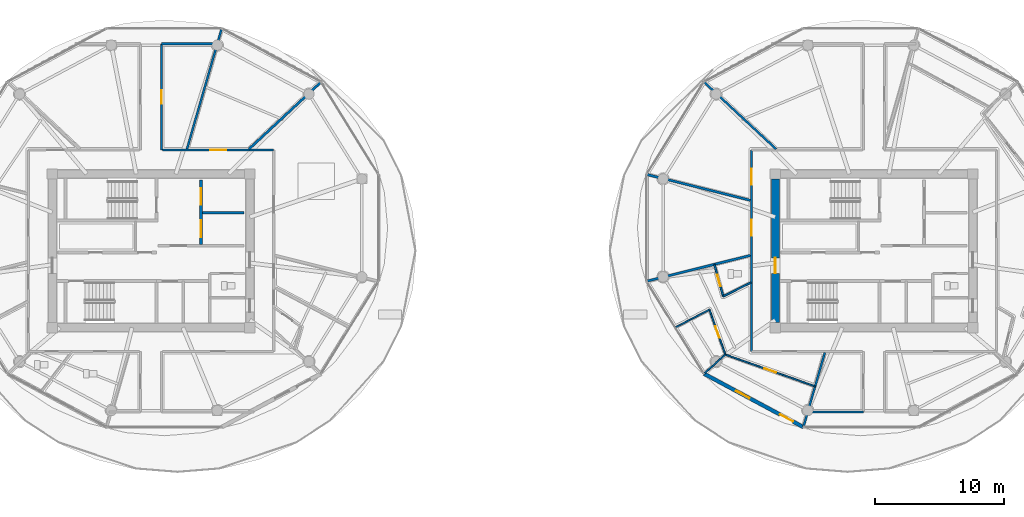
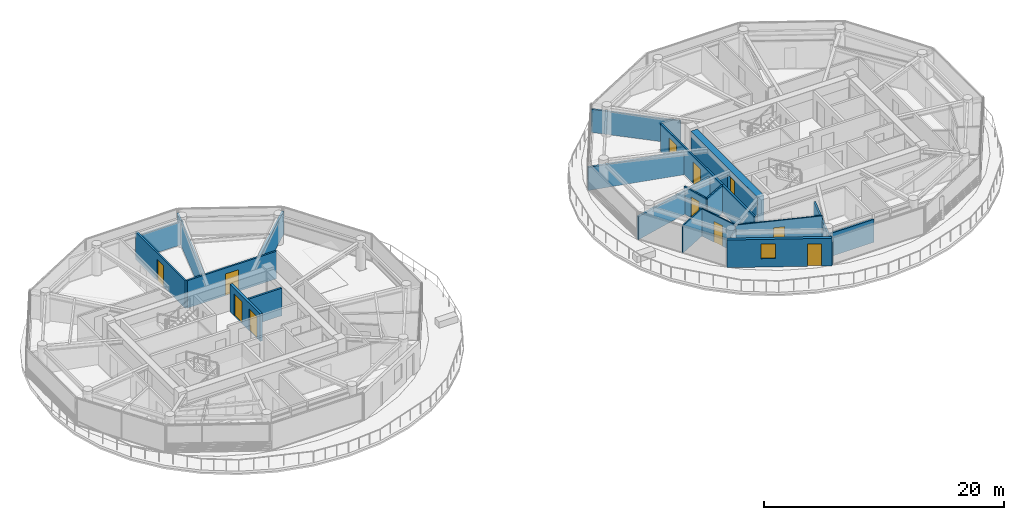
# One storey, part 15 of 28: 21 walls, 11 doors, 1 window, 12 openings.
"""IFC4 building model written with IfcOpenShell, lengths in metres."""

import ifcopenshell
import ifcopenshell.guid

model = None  # the IFC model being written
_history = None  # IfcOwnerHistory: only IFC2X3 demands one
_inside = {}  # id of a spatial element -> (the spatial element, [elements in it])
_under = {}  # id of a project, library or spatial element -> (it, [spatial elements below it])
_declared = {}  # id of a project -> (the project, [libraries it declares])
_typed = {}  # id of a type object -> (the type object, [elements of that type])
_made_of = {}  # id of a material, layer set ... -> (it, [elements and type objects made of it])


def new_model(schema):
    """Start an empty IFC model of exactly this schema.

    Asked for "IFC4X3", IfcOpenShell would pick the latest addendum, in which some entities
    have other attributes; the version numbers below select the first issue.
    IFC2X3 requires an IfcOwnerHistory on every rooted entity: one is made here for all.
    """
    global model, _history
    if schema == "IFC4X3":
        model = ifcopenshell.file(schema_version=(4, 3, 0, 0))
    else:
        model = ifcopenshell.file(schema=schema)
    _inside.clear()
    _under.clear()
    _declared.clear()
    _typed.clear()
    _made_of.clear()
    _history = None
    if model.schema == "IFC2X3":
        org = make("IfcOrganization", Name="unknown")
        user = make(
            "IfcPersonAndOrganization",
            ThePerson=make("IfcPerson", FamilyName="unknown"),
            TheOrganization=org,
        )
        app = make(
            "IfcApplication",
            ApplicationDeveloper=org,
            Version="unknown",
            ApplicationFullName="unknown",
            ApplicationIdentifier="unknown",
        )
        _history = make(
            "IfcOwnerHistory",
            OwningUser=user,
            OwningApplication=app,
            ChangeAction="ADDED",
            CreationDate=0,
        )
    return model


def make(cls, **values):
    """One entity of the class cls with the attributes given. An attribute that is None is left unset."""
    return model.create_entity(
        cls, **{name: value for name, value in values.items() if value is not None}
    )


def rooted(cls, **values):
    """An entity with a GlobalId (a new one), such as an element, a storey or a relation."""
    return make(cls, GlobalId=ifcopenshell.guid.new(), OwnerHistory=_history, **values)


def si_unit(unit_type, name, prefix=None):
    """IfcSIUnit, for example si_unit("LENGTHUNIT", "METRE", prefix="MILLI")."""
    return make("IfcSIUnit", UnitType=unit_type, Prefix=prefix, Name=name)


def assignment(units):
    """IfcUnitAssignment: the units of a project."""
    return None if units is None else make("IfcUnitAssignment", Units=units)


def point(xyz):
    """IfcCartesianPoint."""
    return None if xyz is None else make("IfcCartesianPoint", Coordinates=xyz)


def direction(xyz):
    """IfcDirection."""
    return None if xyz is None else make("IfcDirection", DirectionRatios=xyz)


def frame(location, z_axis=None, x_axis=None):
    """IfcAxis2Placement3D, a coordinate frame: its origin and axes. An axis left out is left unset."""
    return make(
        "IfcAxis2Placement3D",
        Location=point(location),
        Axis=direction(z_axis),
        RefDirection=direction(x_axis),
    )


def frame_2d(location, x_axis=None):
    """IfcAxis2Placement2D, a coordinate frame in the plane: its origin and x axis."""
    return make(
        "IfcAxis2Placement2D", Location=point(location), RefDirection=direction(x_axis)
    )


def origin():
    """The frame at (0, 0, 0) with its axes left unset."""
    return frame((0.0, 0.0, 0.0))


def place(relative_to, where):
    """IfcLocalPlacement: puts the frame where relative to a parent placement (None: the world)."""
    return make(
        "IfcLocalPlacement", PlacementRelTo=relative_to, RelativePlacement=where
    )


def context(
    kind, dimensions, precision=None, world=None, true_north=None, identifier=None
):
    """IfcGeometricRepresentationContext, for example the 3D "Model" context."""
    return make(
        "IfcGeometricRepresentationContext",
        ContextIdentifier=identifier,
        ContextType=kind,
        CoordinateSpaceDimension=dimensions,
        Precision=precision,
        WorldCoordinateSystem=world,
        TrueNorth=true_north,
    )


def subcontext(parent, identifier, kind, view, scale=None):
    """IfcGeometricRepresentationSubContext, for example "Body" below "Model"."""
    return make(
        "IfcGeometricRepresentationSubContext",
        ContextIdentifier=identifier,
        ContextType=kind,
        ParentContext=parent,
        TargetScale=scale,
        TargetView=view,
    )


def project(units=None, contexts=None):
    """IfcProject with its units and contexts."""
    return rooted(
        "IfcProject",
        Name="project",
        RepresentationContexts=contexts,
        UnitsInContext=assignment(units),
    )


def spatial(cls, under=None, at=None, **own):
    """A site, building, storey or space (cls), placed at a placement, below another one or the project."""
    s = rooted(cls, ObjectPlacement=at, **own)
    if under is not None:
        _under.setdefault(under.id(), (under, []))[1].append(s)
    return s


def profile(cls, at=None, kind="AREA", **sizes):
    """A parametric profile (cls). Its sizes go by their IFC names, for example OverallWidth=200.0."""
    return make(cls, ProfileType=kind, Position=at, **sizes)


def rectangle(**sizes):
    """IfcRectangleProfileDef."""
    return profile("IfcRectangleProfileDef", **sizes)


def extrude(swept, where, along, depth):
    """IfcExtrudedAreaSolid: the profile swept, set in the frame where, extruded along a direction by depth."""
    return make(
        "IfcExtrudedAreaSolid",
        SweptArea=swept,
        Position=where,
        ExtrudedDirection=direction(along),
        Depth=depth,
    )


def shape(context_of_items, identifier, shape_type, items):
    """IfcShapeRepresentation: the items that make up one representation, for example the "Body"."""
    return make(
        "IfcShapeRepresentation",
        ContextOfItems=context_of_items,
        RepresentationIdentifier=identifier,
        RepresentationType=shape_type,
        Items=items,
    )


def source(mapping_origin, context_of_items, identifier, shape_type, items):
    """IfcRepresentationMap: a shape defined once, which mapped items show again and again."""
    return make(
        "IfcRepresentationMap",
        MappingOrigin=mapping_origin,
        MappedRepresentation=shape(context_of_items, identifier, shape_type, items),
    )


def transform(
    local_origin,
    x_axis=None,
    y_axis=None,
    z_axis=None,
    scale=None,
    scale2=None,
    scale3=None,
    uniform=True,
):
    """IfcCartesianTransformationOperator3D, or its non-uniform kind. x_axis, y_axis, z_axis: its Axis1, 2, 3."""
    if uniform:
        return make(
            "IfcCartesianTransformationOperator3D",
            Axis1=direction(x_axis),
            Axis2=direction(y_axis),
            LocalOrigin=point(local_origin),
            Scale=scale,
            Axis3=direction(z_axis),
        )
    return make(
        "IfcCartesianTransformationOperator3DnonUniform",
        Axis1=direction(x_axis),
        Axis2=direction(y_axis),
        LocalOrigin=point(local_origin),
        Scale=scale,
        Axis3=direction(z_axis),
        Scale2=scale2,
        Scale3=scale3,
    )


def mapped(mapping_source, mapping_target):
    """IfcMappedItem: shows the shape of a source again, moved by a transform."""
    return make(
        "IfcMappedItem", MappingSource=mapping_source, MappingTarget=mapping_target
    )


def material(Name=None, Category=None):
    """IfcMaterial."""
    return make("IfcMaterial", Name=Name, Category=Category)


def layer(
    of_material, thickness, ventilated=None, Name=None, Category=None, Priority=None
):
    """IfcMaterialLayer: one layer of a wall or slab, of a material (None: an air gap)."""
    return make(
        "IfcMaterialLayer",
        Material=of_material,
        LayerThickness=thickness,
        IsVentilated=ventilated,
        Name=Name,
        Category=Category,
        Priority=Priority,
    )


def layer_set(layers, Name=None):
    """IfcMaterialLayerSet."""
    return make("IfcMaterialLayerSet", MaterialLayers=layers, LayerSetName=Name)


def made_of(thing, what):
    """Note that an element or type object is made of a material, layer set ...; save() writes the relation."""
    if what is not None:
        _made_of.setdefault(what.id(), (what, []))[1].append(thing)
    return thing


def type_object(cls, material=None, **own):
    """A type object (cls), such as IfcWallType, which elements share."""
    return made_of(rooted(cls, **own), material)


def type_shapes(of_type, sources):
    """Give a type object the sources (RepresentationMaps) that its elements show as mapped items."""
    of_type.RepresentationMaps = sources


def element(
    cls,
    number,
    at=None,
    inside=None,
    cuts=None,
    type_object=None,
    material=None,
    context=None,
    identifier="Body",
    shape_type=None,
    held_by="IfcProductDefinitionShape",
    body=None,
    shapes=None,
    **own,
):
    """One element of the class cls, such as IfcWall. Its Tag is "e" and its number.

    at: its placement. inside: the storey or other place that contains it. cuts: it is an
    opening in that element (IfcRelVoidsElement). A single representation is given by context,
    identifier, shape_type and body (its items); several are given by shapes. held_by: the class
    of the entity that holds the representations. save() writes the other relations.
    """
    e = rooted(cls, Tag="e%d" % number, ObjectPlacement=at, **own)
    if body is not None:
        shapes = [shape(context, identifier, shape_type, body)]
    if shapes is not None:
        e.Representation = make(held_by, Representations=shapes)
    if inside is not None:
        _inside.setdefault(inside.id(), (inside, []))[1].append(e)
    if cuts is not None:
        rooted(
            "IfcRelVoidsElement", RelatingBuildingElement=cuts, RelatedOpeningElement=e
        )
    if type_object is not None:
        _typed.setdefault(type_object.id(), (type_object, []))[1].append(e)
    return made_of(e, material)


def fill(opening, filler):
    """IfcRelFillsElement: the door or window that sits in an opening."""
    return rooted(
        "IfcRelFillsElement",
        RelatingOpeningElement=opening,
        RelatedBuildingElement=filler,
    )


def aggregate(whole, parts):
    """IfcRelAggregates: a whole, such as a stair, and the parts it consists of."""
    return rooted("IfcRelAggregates", RelatingObject=whole, RelatedObjects=parts)


def save(model, path):
    """Write the relations noted so far, then the file.

    IfcRelAggregates (storeys below a building ...), IfcRelContainedInSpatialStructure (elements
    in a storey), IfcRelDefinesByType, IfcRelAssociatesMaterial and IfcRelDeclares: one each for
    every whole, place, type object, material and project.
    """
    for whole, parts in _under.values():
        aggregate(whole, parts)
    for where, things in _inside.values():
        rooted(
            "IfcRelContainedInSpatialStructure",
            RelatedElements=things,
            RelatingStructure=where,
        )
    for kind, things in _typed.values():
        rooted("IfcRelDefinesByType", RelatedObjects=things, RelatingType=kind)
    for what, things in _made_of.values():
        rooted("IfcRelAssociatesMaterial", RelatedObjects=things, RelatingMaterial=what)
    for by, libraries in _declared.values():
        rooted("IfcRelDeclares", RelatingContext=by, RelatedDefinitions=libraries)
    model.write(path)


model = new_model("IFC4")

# Units and contexts
model_context = context("Model", 3, precision=1e-05, world=origin(), true_north=direction((0.0, 1.0)))
body_context = subcontext(model_context, "Body", "Model", "MODEL_VIEW")
ifc_project = project(units=[si_unit("LENGTHUNIT", "METRE"), si_unit("AREAUNIT", "SQUARE_METRE"), si_unit("VOLUMEUNIT", "CUBIC_METRE"), si_unit("PLANEANGLEUNIT", "RADIAN"), si_unit("MASSUNIT", "GRAM", prefix="KILO")], contexts=[model_context])

# Site, building, storey
site_placement = place(None, origin())
site = spatial("IfcSite", under=ifc_project, at=site_placement, CompositionType="ELEMENT")
building_placement = place(site_placement, origin())
building = spatial("IfcBuilding", under=site, at=building_placement, Name="Norrkilde Senior Care Towers", CompositionType="ELEMENT")
storey_placement = place(building_placement, frame((0.0, 0.0, 134.300048828125)))
storey = spatial("IfcBuildingStorey", under=building, at=storey_placement, Name="L41", CompositionType="ELEMENT", Elevation=134.300048828125)

# Wall, opening, door
ifc_material_1 = material(Name="Concrete C50/60", Category="concrete")
ifc_layer_1 = layer(ifc_material_1, 0.6201171875)
ifc_layer_set_1 = layer_set([ifc_layer_1], Name="Concrete C50/60")
wall_type_1 = type_object("IfcWallType", Name="Core Shear Wall Z3 620", PredefinedType="SHEAR", material=ifc_layer_set_1)
shared_shape_1 = source(origin(), body_context, "Body", "SweptSolid", [
    extrude(rectangle(XDim=11.10009765625, YDim=0.6201171875, at=frame_2d((5.550048828125, 0.0))), origin(), (0.0, 0.0, 1.0), 2.81005859375),
])
type_shapes(wall_type_1, [shared_shape_1])
wall_1_placement = place(storey_placement, frame((20.35009765625, -5.550048828125, 0.0), z_axis=(0.0, 0.0, 1.0), x_axis=(0.0, 1.0, 0.0)))
wall_1 = element("IfcWall", 1, at=wall_1_placement, inside=storey, type_object=wall_type_1, Name="L41 Core E West Shear Wall", PredefinedType="SHEAR", context=body_context, shape_type="MappedRepresentation", body=[
    mapped(shared_shape_1, transform((0.0, 0.0, 0.0), x_axis=(1.0, 0.0, 0.0), y_axis=(0.0, 1.0, 0.0), z_axis=(0.0, 0.0, 1.0), scale=1.0)),
])
opening_1_placement = place(wall_1_placement, frame((3.800048828125, 0.0, 0.0)))
opening_1 = element("IfcOpeningElement", 2, at=opening_1_placement, cuts=wall_1, Name="Opening D-04", PredefinedType="OPENING", context=body_context, shape_type="SweptSolid", body=[
    extrude(rectangle(XDim=1.199951171875, YDim=2.14990234375, at=frame_2d((0.60009765625, 1.074951171875))), frame((0.0, 0.320068359375, 0.0), z_axis=(0.0, -1.0, 0.0), x_axis=(1.0, 0.0, 0.0)), (0.0, 0.0, 1.0), 0.64013671875),
])
ifc_material_2 = material(Name="Galvanised Painted Steel", Category="steel")
door_type_1 = type_object("IfcDoorType", Name="Firefighting Lobby Fire Door 1200x2150", OperationType="NOTDEFINED", PredefinedType="DOOR", material=ifc_material_2)
shared_shape_2 = source(origin(), body_context, "Body", "SweptSolid", [
    extrude(rectangle(XDim=1.199951171875, YDim=2.14990234375, at=frame_2d((0.60009765625, 1.074951171875))), frame((0.0, 0.02490234375, 0.0), z_axis=(0.0, -1.0, 0.0), x_axis=(1.0, 0.0, 0.0)), (0.0, 0.0, 1.0), 0.050048828125),
])
type_shapes(door_type_1, [shared_shape_2])
door_1_placement = place(opening_1_placement, frame((1.199951171875, 0.0, 0.0), z_axis=(0.0, 0.0, 1.0), x_axis=(-1.0, 0.0, 0.0)))
door_1 = element("IfcDoor", 3, at=door_1_placement, inside=storey, type_object=door_type_1, Name="L41 Core E West Portal Door", OperationType="SINGLE_SWING_LEFT", OverallHeight=2.14990234375, OverallWidth=1.199951171875, PredefinedType="DOOR", context=body_context, shape_type="MappedRepresentation", body=[
    mapped(shared_shape_2, transform((0.0, 0.0, 0.0), x_axis=(1.0, 0.0, 0.0), y_axis=(0.0, 1.0, 0.0), z_axis=(0.0, 0.0, 1.0), scale=1.0)),
])
fill(opening_1, door_1)

# Wall, openings, door, window
ifc_material_3 = material(Name="Precast concrete C45/55", Category="concrete")
ifc_layer_2 = layer(ifc_material_3, 0.2900390625)
ifc_layer_set_2 = layer_set([ifc_layer_2], Name="Precast concrete C45/55")
wall_type_2 = type_object("IfcWallType", Name="Winter Garden Facade Wall 290", PredefinedType="SOLIDWALL", material=ifc_layer_set_2)
shared_shape_3 = source(origin(), body_context, "Body", "SweptSolid", [
    extrude(rectangle(XDim=8.741943359375, YDim=0.2900390625, at=frame_2d((4.37109375, 0.0))), origin(), (0.0, 0.0, 1.0), 2.81005859375),
])
type_shapes(wall_type_2, [shared_shape_3])
wall_2_placement = place(storey_placement, frame((22.528564453125, -13.66015625, 0.0), z_axis=(0.0, 0.0, 1.0), x_axis=(-0.880998740657, 0.473118609823, 0.0)))
wall_2 = element("IfcWall", 4, at=wall_2_placement, inside=storey, type_object=wall_type_2, Name="L41 Drum E Balcony Access Wall 07", PredefinedType="SOLIDWALL", context=body_context, shape_type="MappedRepresentation", body=[
    mapped(shared_shape_3, transform((0.0, 0.0, 0.0), x_axis=(1.0, 0.0, 0.0), y_axis=(0.0, 1.0, 0.0), z_axis=(0.0, 0.0, 1.0), scale=1.0)),
])
opening_2_placement = place(wall_2_placement, frame((0.89990234375, 0.0, 0.0)))
opening_2 = element("IfcOpeningElement", 5, at=opening_2_placement, cuts=wall_2, Name="Opening D-09", PredefinedType="OPENING", context=body_context, shape_type="SweptSolid", body=[
    extrude(rectangle(XDim=1.14990234375, YDim=2.25, at=frame_2d((0.574951171875, 1.125))), frame((0.0, 0.155029296875, 0.0), z_axis=(0.0, -1.0, 0.0), x_axis=(1.0, 0.0, 0.0)), (0.0, 0.0, 1.0), 0.31005859375),
])
opening_3_placement = place(wall_2_placement, frame((4.720947265625, 0.0, 0.85009765625)))
opening_3 = element("IfcOpeningElement", 6, at=opening_3_placement, cuts=wall_2, Name="Opening WN-07", PredefinedType="OPENING", context=body_context, shape_type="SweptSolid", body=[
    extrude(rectangle(XDim=1.199951171875, YDim=1.5, at=frame_2d((0.60009765625, 0.75))), frame((0.0, 0.155029296875, 0.0), z_axis=(0.0, -1.0, 0.0), x_axis=(1.0, 0.0, 0.0)), (0.0, 0.0, 1.0), 0.31005859375),
])
ifc_material_4 = material(Name="Anodised Aluminium", Category="aluminium")
door_type_2 = type_object("IfcDoorType", Name="Terrace and Balcony Glazed Door 1150x2250", OperationType="NOTDEFINED", PredefinedType="DOOR", material=ifc_material_4)
shared_shape_4 = source(origin(), body_context, "Body", "SweptSolid", [
    extrude(rectangle(XDim=1.14990234375, YDim=2.25, at=frame_2d((0.574951171875, 1.125))), frame((0.0, 0.02490234375, 0.0), z_axis=(0.0, -1.0, 0.0), x_axis=(1.0, 0.0, 0.0)), (0.0, 0.0, 1.0), 0.050048828125),
])
type_shapes(door_type_2, [shared_shape_4])
door_2_placement = place(opening_2_placement, origin())
door_2 = element("IfcDoor", 7, at=door_2_placement, inside=storey, type_object=door_type_2, Name="L41 Drum E Outdoor Terrace Door 07", OperationType="SINGLE_SWING_RIGHT", OverallHeight=2.25, OverallWidth=1.14990234375, PredefinedType="DOOR", context=body_context, shape_type="MappedRepresentation", body=[
    mapped(shared_shape_4, transform((0.0, 0.0, 0.0), x_axis=(1.0, 0.0, 0.0), y_axis=(0.0, 1.0, 0.0), z_axis=(0.0, 0.0, 1.0), scale=1.0)),
])
fill(opening_2, door_2)
ifc_material_5 = material(Name="Triple Low-E Insulated Glazing", Category="glass")
window_type = type_object("IfcWindowType", Name="Stairwell Smoke Vent Window 1200x1500", PartitioningType="SINGLE_PANEL", PredefinedType="WINDOW", material=ifc_material_5)
shared_shape_5 = source(origin(), body_context, "Body", "SweptSolid", [
    extrude(rectangle(XDim=1.199951171875, YDim=1.5, at=frame_2d((0.60009765625, 0.75))), frame((0.0, 0.030029296875, 0.0), z_axis=(0.0, -1.0, 0.0), x_axis=(1.0, 0.0, 0.0)), (0.0, 0.0, 1.0), 0.06005859375),
])
type_shapes(window_type, [shared_shape_5])
window_placement = place(opening_3_placement, origin())
window = element("IfcWindow", 8, at=window_placement, inside=storey, type_object=window_type, Name="L41 Drum E Winter Garden Window 07", OverallHeight=1.5, OverallWidth=1.199951171875, PartitioningType="SINGLE_PANEL", PredefinedType="WINDOW", context=body_context, shape_type="MappedRepresentation", body=[
    mapped(shared_shape_5, transform((0.0, 0.0, 0.0), x_axis=(1.0, 0.0, 0.0), y_axis=(0.0, 1.0, 0.0), z_axis=(0.0, 0.0, 1.0), scale=1.0)),
])
fill(opening_3, window)

# Wall, openings, doors
ifc_material_6 = material(Name="Concrete C45/55", Category="concrete")
ifc_layer_3 = layer(ifc_material_6, 0.239990234375)
ifc_layer_set_3 = layer_set([ifc_layer_3], Name="Concrete C45/55")
wall_type_3 = type_object("IfcWallType", Name="Lift and Plant Rated Enclosure Partition 240", PredefinedType="PARTITIONING", material=ifc_layer_set_3)
shared_shape_6 = source(origin(), body_context, "Body", "SweptSolid", [
    extrude(rectangle(XDim=5.0, YDim=0.239990234375, at=frame_2d((2.5, 0.0))), origin(), (0.0, 0.0, 1.0), 2.794921875),
])
type_shapes(wall_type_3, [shared_shape_6])
wall_3_placement = place(storey_placement, frame((-24.139892578125, 0.5, 0.0), z_axis=(0.0, 0.0, 1.0), x_axis=(0.0, 1.0, 0.0)))
wall_3 = element("IfcWall", 9, at=wall_3_placement, inside=storey, type_object=wall_type_3, Name="WL-INT-L41-W-FFLE", PredefinedType="PARTITIONING", context=body_context, shape_type="MappedRepresentation", body=[
    mapped(shared_shape_6, transform((0.0, 0.0, 0.0), x_axis=(1.0, 0.0, 0.0), y_axis=(0.0, 1.0, 0.0), z_axis=(0.0, 0.0, 1.0), scale=1.0)),
])
opening_4_placement = place(wall_3_placement, frame((3.050048828125, 0.0, 0.0)))
opening_4 = element("IfcOpeningElement", 10, at=opening_4_placement, cuts=wall_3, Name="Opening LD-02", PredefinedType="OPENING", context=body_context, shape_type="SweptSolid", body=[
    extrude(rectangle(XDim=1.300048828125, YDim=2.199951171875, at=frame_2d((0.64990234375, 1.10009765625))), frame((0.0, 0.1298828125, 0.0), z_axis=(0.0, -1.0, 0.0), x_axis=(1.0, 0.0, 0.0)), (0.0, 0.0, 1.0), 0.260009765625),
])
opening_5_placement = place(wall_3_placement, frame((0.550048828125, 0.0, 0.0)))
opening_5 = element("IfcOpeningElement", 11, at=opening_5_placement, cuts=wall_3, Name="Opening LD-02", PredefinedType="OPENING", context=body_context, shape_type="SweptSolid", body=[
    extrude(rectangle(XDim=1.300048828125, YDim=2.199951171875, at=frame_2d((0.64990234375, 1.10009765625))), frame((0.0, 0.1298828125, 0.0), z_axis=(0.0, -1.0, 0.0), x_axis=(1.0, 0.0, 0.0)), (0.0, 0.0, 1.0), 0.260009765625),
])
ifc_material_7 = material(Name="Stainless Steel", Category="steel")
door_type_3 = type_object("IfcDoorType", Name="Stretcher and FFL Landing Sliding Door 1300x2200", OperationType="NOTDEFINED", PredefinedType="DOOR", material=ifc_material_7)
shared_shape_7 = source(origin(), body_context, "Body", "SweptSolid", [
    extrude(rectangle(XDim=1.300048828125, YDim=2.199951171875, at=frame_2d((0.64990234375, 1.10009765625))), frame((0.0, 0.02490234375, 0.0), z_axis=(0.0, -1.0, 0.0), x_axis=(1.0, 0.0, 0.0)), (0.0, 0.0, 1.0), 0.050048828125),
])
type_shapes(door_type_3, [shared_shape_7])
door_3_placement = place(opening_4_placement, origin())
door_3 = element("IfcDoor", 12, at=door_3_placement, inside=storey, type_object=door_type_3, Name="L41 Firefighting Lift W1 Landing Door", OperationType="SLIDING_TO_LEFT", OverallHeight=2.199951171875, OverallWidth=1.300048828125, PredefinedType="DOOR", context=body_context, shape_type="MappedRepresentation", body=[
    mapped(shared_shape_7, transform((0.0, 0.0, 0.0), x_axis=(1.0, 0.0, 0.0), y_axis=(0.0, 1.0, 0.0), z_axis=(0.0, 0.0, 1.0), scale=1.0)),
])
fill(opening_4, door_3)
door_4_placement = place(opening_5_placement, origin())
door_4 = element("IfcDoor", 13, at=door_4_placement, inside=storey, type_object=door_type_3, Name="L41 Stretcher Lift W1 Landing Door", OperationType="SLIDING_TO_RIGHT", OverallHeight=2.199951171875, OverallWidth=1.300048828125, PredefinedType="DOOR", context=body_context, shape_type="MappedRepresentation", body=[
    mapped(shared_shape_7, transform((0.0, 0.0, 0.0), x_axis=(1.0, 0.0, 0.0), y_axis=(0.0, 1.0, 0.0), z_axis=(0.0, 0.0, 1.0), scale=1.0)),
])
fill(opening_5, door_4)

# Wall
ifc_layer_4 = layer(ifc_material_6, 0.199951171875)
ifc_layer_set_4 = layer_set([ifc_layer_4], Name="Concrete C45/55")
wall_type_4 = type_object("IfcWallType", Name="Shaft Division and Plant Partition 200", PredefinedType="PARTITIONING", material=ifc_layer_set_4)
shared_shape_8 = source(origin(), body_context, "Body", "SweptSolid", [
    extrude(rectangle(XDim=3.199951171875, YDim=0.199951171875, at=frame_2d((1.60009765625, 0.0))), origin(), (0.0, 0.0, 1.0), 2.794921875),
])
type_shapes(wall_type_4, [shared_shape_8])
wall_4_placement = place(storey_placement, frame((-24.0, 2.949951171875, 0.0), z_axis=(0.0, 0.0, 1.0), x_axis=(1.0, 0.0, 0.0)))
element("IfcWall", 14, at=wall_4_placement, inside=storey, type_object=wall_type_4, Name="WL-INT-L41-W-FFLDIV", PredefinedType="PARTITIONING", context=body_context, shape_type="MappedRepresentation", body=[
    mapped(shared_shape_8, transform((0.0, 0.0, 0.0), x_axis=(1.0, 0.0, 0.0), y_axis=(0.0, 1.0, 0.0), z_axis=(0.0, 0.0, 1.0), scale=1.0)),
])

# Wall, opening, door
ifc_material_8 = material(Name="Gypsum Acoustic Board")
ifc_layer_5 = layer(ifc_material_8, 0.1650390625)
ifc_layer_set_5 = layer_set([ifc_layer_5], Name="Gypsum Acoustic Board")
wall_type_5 = type_object("IfcWallType", Name="Corridor Rated Partition 165", PredefinedType="PARTITIONING", material=ifc_layer_set_5)
shared_shape_9 = source(origin(), body_context, "Body", "SweptSolid", [
    extrude(rectangle(XDim=8.60009765625, YDim=0.1650390625, at=frame_2d((4.300048828125, 0.0))), origin(), (0.0, 0.0, 1.0), 2.794921875),
])
wall_5_placement = place(storey_placement, frame((-27.10009765625, 7.800048828125, 0.0), z_axis=(0.0, 0.0, 1.0), x_axis=(1.0, 0.0, 0.0)))
wall_5 = element("IfcWall", 15, at=wall_5_placement, inside=storey, type_object=wall_type_5, Name="WL-INT-L41-W-CRW-N-1", PredefinedType="PARTITIONING", context=body_context, shape_type="MappedRepresentation", body=[
    mapped(shared_shape_9, transform((0.0, 0.0, 0.0), x_axis=(1.0, 0.0, 0.0), y_axis=(0.0, 1.0, 0.0), z_axis=(0.0, 0.0, 1.0), scale=1.0)),
])
opening_6_placement = place(wall_5_placement, frame((3.688232421875, 0.0, 0.0)))
opening_6 = element("IfcOpeningElement", 16, at=opening_6_placement, cuts=wall_5, Name="Opening D-05", PredefinedType="OPENING", context=body_context, shape_type="SweptSolid", body=[
    extrude(rectangle(XDim=1.25, YDim=2.199951171875, at=frame_2d((0.625, 1.10009765625))), frame((0.0, 0.092529296875, 0.0), z_axis=(0.0, -1.0, 0.0), x_axis=(1.0, 0.0, 0.0)), (0.0, 0.0, 1.0), 0.18505859375),
])
ifc_material_9 = material(Name="Nordic Ash Timber", Category="wood")
door_type_4 = type_object("IfcDoorType", Name="Care Bedroom Bariatric Door 1250x2200", OperationType="NOTDEFINED", PredefinedType="DOOR", material=ifc_material_9)
shared_shape_10 = source(origin(), body_context, "Body", "SweptSolid", [
    extrude(rectangle(XDim=1.25, YDim=2.199951171875, at=frame_2d((0.625, 1.10009765625))), frame((0.0, 0.02490234375, 0.0), z_axis=(0.0, -1.0, 0.0), x_axis=(1.0, 0.0, 0.0)), (0.0, 0.0, 1.0), 0.050048828125),
])
type_shapes(door_type_4, [shared_shape_10])
door_5_placement = place(opening_6_placement, frame((1.25, 0.0, 0.0), z_axis=(0.0, 0.0, 1.0), x_axis=(-1.0, 0.0, 0.0)))
door_5 = element("IfcDoor", 17, at=door_5_placement, inside=storey, type_object=door_type_4, Name="L41 Household Therapeutic Kitchen Door", OperationType="SINGLE_SWING_RIGHT", OverallHeight=2.199951171875, OverallWidth=1.25, PredefinedType="DOOR", context=body_context, shape_type="MappedRepresentation", body=[
    mapped(shared_shape_10, transform((0.0, 0.0, 0.0), x_axis=(1.0, 0.0, 0.0), y_axis=(0.0, 1.0, 0.0), z_axis=(0.0, 0.0, 1.0), scale=1.0)),
])
fill(opening_6, door_5)

# Wall, openings, doors
shared_shape_11 = source(origin(), body_context, "Body", "SweptSolid", [
    extrude(rectangle(XDim=15.60009765625, YDim=0.1650390625, at=frame_2d((7.800048828125, 0.0))), origin(), (0.0, 0.0, 1.0), 2.794921875),
])
wall_6_placement = place(storey_placement, frame((18.5, -7.800048828125, 0.0), z_axis=(0.0, 0.0, 1.0), x_axis=(0.0, 1.0, 0.0)))
wall_6 = element("IfcWall", 18, at=wall_6_placement, inside=storey, type_object=wall_type_5, Name="WL-INT-L41-E-CRW-W-0", PredefinedType="PARTITIONING", context=body_context, shape_type="MappedRepresentation", body=[
    mapped(shared_shape_11, transform((0.0, 0.0, 0.0), x_axis=(1.0, 0.0, 0.0), y_axis=(0.0, 1.0, 0.0), z_axis=(0.0, 0.0, 1.0), scale=1.0)),
])
opening_7_placement = place(wall_6_placement, frame((12.903076171875, 0.0, 0.0)))
opening_7 = element("IfcOpeningElement", 19, at=opening_7_placement, cuts=wall_6, Name="Opening D-05", PredefinedType="OPENING", context=body_context, shape_type="SweptSolid", body=[
    extrude(rectangle(XDim=1.25, YDim=2.199951171875, at=frame_2d((0.625, 1.10009765625))), frame((0.0, 0.092529296875, 0.0), z_axis=(0.0, -1.0, 0.0), x_axis=(1.0, 0.0, 0.0)), (0.0, 0.0, 1.0), 0.18505859375),
])
opening_8_placement = place(wall_6_placement, frame((8.950439453125, 0.0, 0.0)))
opening_8 = element("IfcOpeningElement", 20, at=opening_8_placement, cuts=wall_6, Name="Opening D-05", PredefinedType="OPENING", context=body_context, shape_type="SweptSolid", body=[
    extrude(rectangle(XDim=1.25, YDim=2.199951171875, at=frame_2d((0.625, 1.10009765625))), frame((0.0, 0.092529296875, 0.0), z_axis=(0.0, -1.0, 0.0), x_axis=(1.0, 0.0, 0.0)), (0.0, 0.0, 1.0), 0.18505859375),
])
door_6_placement = place(opening_7_placement, frame((1.25, 0.0, 0.0), z_axis=(0.0, 0.0, 1.0), x_axis=(-1.0, 0.0, 0.0)))
door_6 = element("IfcDoor", 21, at=door_6_placement, inside=storey, type_object=door_type_4, Name="L41 Sky-Garden Observatory Dining Salon L41 Door", OperationType="SINGLE_SWING_LEFT", OverallHeight=2.199951171875, OverallWidth=1.25, PredefinedType="DOOR", context=body_context, shape_type="MappedRepresentation", body=[
    mapped(shared_shape_10, transform((0.0, 0.0, 0.0), x_axis=(1.0, 0.0, 0.0), y_axis=(0.0, 1.0, 0.0), z_axis=(0.0, 0.0, 1.0), scale=1.0)),
])
fill(opening_7, door_6)
door_7_placement = place(opening_8_placement, frame((1.25, 0.0, 0.0), z_axis=(0.0, 0.0, 1.0), x_axis=(-1.0, 0.0, 0.0)))
door_7 = element("IfcDoor", 22, at=door_7_placement, inside=storey, type_object=door_type_4, Name="L41 Senior Wellness Library Lounge Door", OperationType="SINGLE_SWING_RIGHT", OverallHeight=2.199951171875, OverallWidth=1.25, PredefinedType="DOOR", context=body_context, shape_type="MappedRepresentation", body=[
    mapped(shared_shape_10, transform((0.0, 0.0, 0.0), x_axis=(1.0, 0.0, 0.0), y_axis=(0.0, 1.0, 0.0), z_axis=(0.0, 0.0, 1.0), scale=1.0)),
])
fill(opening_8, door_7)

# Walls
shared_shape_12 = source(origin(), body_context, "Body", "SweptSolid", [
    extrude(rectangle(XDim=9.73046875, YDim=0.1650390625, at=frame_2d((4.865234375, 0.0))), origin(), (0.0, 0.0, 1.0), 2.344970703125),
])
wall_7_placement = place(storey_placement, frame((-25.216552734375, 7.8798828125, 0.0), z_axis=(0.0, 0.0, 1.0), x_axis=(0.27679492614, 0.960929013436, 0.0)))
element("IfcWall", 23, at=wall_7_placement, inside=storey, type_object=wall_type_5, Name="WL-INT-L41-W-DEM-02-0", PredefinedType="PARTITIONING", context=body_context, shape_type="MappedRepresentation", body=[
    mapped(shared_shape_12, transform((0.0, 0.0, 0.0), x_axis=(1.0, 0.0, 0.0), y_axis=(0.0, 1.0, 0.0), z_axis=(0.0, 0.0, 1.0), scale=1.0)),
])
shared_shape_13 = source(origin(), body_context, "Body", "SweptSolid", [
    extrude(rectangle(XDim=6.035400390625, YDim=0.1650390625, at=frame_2d((3.017578125, 0.0))), origin(), (0.0, 0.0, 1.0), 2.344970703125),
])
wall_8_placement = place(storey_placement, frame((24.19384765625, -7.8798828125, 0.0), z_axis=(0.0, 0.0, 1.0), x_axis=(-0.276809454862, -0.960924828329, 0.0)))
element("IfcWall", 24, at=wall_8_placement, inside=storey, type_object=wall_type_5, Name="WL-INT-L41-E-DEM-08-0", PredefinedType="PARTITIONING", context=body_context, shape_type="MappedRepresentation", body=[
    mapped(shared_shape_13, transform((0.0, 0.0, 0.0), x_axis=(1.0, 0.0, 0.0), y_axis=(0.0, 1.0, 0.0), z_axis=(0.0, 0.0, 1.0), scale=1.0)),
])

# Wall, opening, door
shared_shape_14 = source(origin(), body_context, "Body", "SweptSolid", [
    extrude(rectangle(XDim=8.2353515625, YDim=0.1650390625, at=frame_2d((4.11767578125, 0.0))), origin(), (0.0, 0.0, 1.0), 2.794921875),
])
wall_9_placement = place(storey_placement, frame((-27.179931640625, 7.800048828125, 0.0), z_axis=(0.0, 0.0, 1.0), x_axis=(0.0, 1.0, 0.0)))
wall_9 = element("IfcWall", 25, at=wall_9_placement, inside=storey, type_object=wall_type_5, Name="WL-INT-L41-W-PKW-NEL", PredefinedType="PARTITIONING", context=body_context, shape_type="MappedRepresentation", body=[
    mapped(shared_shape_14, transform((0.0, 0.0, 0.0), x_axis=(1.0, 0.0, 0.0), y_axis=(0.0, 1.0, 0.0), z_axis=(0.0, 0.0, 1.0), scale=1.0)),
])
opening_9_placement = place(wall_9_placement, frame((3.5927734375, 0.0, 0.0)))
opening_9 = element("IfcOpeningElement", 26, at=opening_9_placement, cuts=wall_9, Name="Opening D-06", PredefinedType="OPENING", context=body_context, shape_type="SweptSolid", body=[
    extrude(rectangle(XDim=1.050048828125, YDim=2.14990234375, at=frame_2d((0.52490234375, 1.074951171875))), frame((0.0, 0.092529296875, 0.0), z_axis=(0.0, -1.0, 0.0), x_axis=(1.0, 0.0, 0.0)), (0.0, 0.0, 1.0), 0.18505859375),
])
door_type_5 = type_object("IfcDoorType", Name="Apartment Entrance Fire Door 1050x2150", OperationType="NOTDEFINED", PredefinedType="DOOR", material=ifc_material_9)
shared_shape_15 = source(origin(), body_context, "Body", "SweptSolid", [
    extrude(rectangle(XDim=1.050048828125, YDim=2.14990234375, at=frame_2d((0.52490234375, 1.074951171875))), frame((0.0, 0.02490234375, 0.0), z_axis=(0.0, -1.0, 0.0), x_axis=(1.0, 0.0, 0.0)), (0.0, 0.0, 1.0), 0.050048828125),
])
type_shapes(door_type_5, [shared_shape_15])
door_8_placement = place(opening_9_placement, frame((1.050048828125, 0.0, 0.0), z_axis=(0.0, 0.0, 1.0), x_axis=(-1.0, 0.0, 0.0)))
door_8 = element("IfcDoor", 27, at=door_8_placement, inside=storey, type_object=door_type_5, Name="L41 Reading Lounge NEL Door", OperationType="SINGLE_SWING_RIGHT", OverallHeight=2.14990234375, OverallWidth=1.050048828125, PredefinedType="DOOR", context=body_context, shape_type="MappedRepresentation", body=[
    mapped(shared_shape_15, transform((0.0, 0.0, 0.0), x_axis=(1.0, 0.0, 0.0), y_axis=(0.0, 1.0, 0.0), z_axis=(0.0, 0.0, 1.0), scale=1.0)),
])
fill(opening_9, door_8)

# Walls
shared_shape_16 = source(origin(), body_context, "Body", "SweptSolid", [
    extrude(rectangle(XDim=4.46875, YDim=0.1650390625, at=frame_2d((2.234375, 0.0))), origin(), (0.0, 0.0, 1.0), 2.344970703125),
])
for number, where, z_axis, x_axis, name in (
    (28, (-27.179931640625, 16.035400390625, 0.0), (0.0, 0.0, 1.0), (1.0, 0.0, 0.0), "WL-INT-L41-W-PKH-NEL-0"),
    (29, (22.711181640625, -12.484619140625, 0.0), (0.0, 0.0, 1.0), (1.0, 0.0, 0.0), "WL-INT-L41-E-PKH-SWL-0"),
):
    element("IfcWall", number, at=place(storey_placement, frame(where, z_axis=z_axis, x_axis=x_axis)), inside=storey, type_object=wall_type_5, Name=name, PredefinedType="PARTITIONING", context=body_context, shape_type="MappedRepresentation", body=[
        mapped(shared_shape_16, transform((0.0, 0.0, 0.0), x_axis=(1.0, 0.0, 0.0), y_axis=(0.0, 1.0, 0.0), z_axis=(0.0, 0.0, 1.0), scale=1.0)),
    ])
ifc_layer_6 = layer(ifc_material_8, 0.18994140625)
ifc_layer_set_6 = layer_set([ifc_layer_6], Name="Gypsum Acoustic Board")
wall_type_6 = type_object("IfcWallType", Name="Unit Demising Acoustic Wall 190", PredefinedType="PARTITIONING", material=ifc_layer_set_6)
shared_shape_17 = source(origin(), body_context, "Body", "SweptSolid", [
    extrude(rectangle(XDim=8.305419921875, YDim=0.18994140625, at=frame_2d((4.15283203125, 0.0))), origin(), (0.0, 0.0, 1.0), 2.344970703125),
])
for number, where, z_axis, x_axis, name in (
    (30, (18.419921875, 3.90771484375, 0.0), (0.0, 0.0, 1.0), (-0.970309994378, 0.241864662175, 0.0), "WL-INT-L41-E-DEM-05-0"),
    (31, (18.419921875, -0.35693359375, 0.0), (0.0, 0.0, 1.0), (-0.970309994378, -0.241864662175, 0.0), "WL-INT-L41-E-DEM-06-0"),
):
    element("IfcWall", number, at=place(storey_placement, frame(where, z_axis=z_axis, x_axis=x_axis)), inside=storey, type_object=wall_type_6, Name=name, PredefinedType="PARTITIONING", context=body_context, shape_type="MappedRepresentation", body=[
        mapped(shared_shape_17, transform((0.0, 0.0, 0.0), x_axis=(1.0, 0.0, 0.0), y_axis=(0.0, 1.0, 0.0), z_axis=(0.0, 0.0, 1.0), scale=1.0)),
    ])
shared_shape_18 = source(origin(), body_context, "Body", "SweptSolid", [
    extrude(rectangle(XDim=7.648193359375, YDim=0.18994140625, at=frame_2d((3.82421875, 0.0))), origin(), (0.0, 0.0, 1.0), 2.344970703125),
])
type_shapes(wall_type_6, [shared_shape_17, shared_shape_18])
wall_10_placement = place(storey_placement, frame((-20.41259765625, 7.8798828125, 0.0), z_axis=(0.0, 0.0, 1.0), x_axis=(0.732182665826, 0.681108320213, 0.0)))
element("IfcWall", 32, at=wall_10_placement, inside=storey, type_object=wall_type_6, Name="WL-INT-L41-W-DEM-01-0", PredefinedType="PARTITIONING", context=body_context, shape_type="MappedRepresentation", body=[
    mapped(shared_shape_18, transform((0.0, 0.0, 0.0), x_axis=(1.0, 0.0, 0.0), y_axis=(0.0, 1.0, 0.0), z_axis=(0.0, 0.0, 1.0), scale=1.0)),
])
shared_shape_19 = source(origin(), body_context, "Body", "SweptSolid", [
    extrude(rectangle(XDim=7.648193359375, YDim=0.1650390625, at=frame_2d((3.82421875, 0.0))), origin(), (0.0, 0.0, 1.0), 2.344970703125),
])
type_shapes(wall_type_5, [shared_shape_9, shared_shape_11, shared_shape_12, shared_shape_13, shared_shape_14, shared_shape_16, shared_shape_19])
wall_11_placement = place(storey_placement, frame((20.41259765625, 7.8798828125, 0.0), z_axis=(0.0, 0.0, 1.0), x_axis=(-0.732182665826, 0.681108320213, 0.0)))
element("IfcWall", 33, at=wall_11_placement, inside=storey, type_object=wall_type_5, Name="WL-INT-L41-E-DEM-04-0", PredefinedType="PARTITIONING", context=body_context, shape_type="MappedRepresentation", body=[
    mapped(shared_shape_19, transform((0.0, 0.0, 0.0), x_axis=(1.0, 0.0, 0.0), y_axis=(0.0, 1.0, 0.0), z_axis=(0.0, 0.0, 1.0), scale=1.0)),
])

# Wall, opening, door
ifc_layer_7 = layer(ifc_material_8, 0.114990234375)
ifc_layer_set_7 = layer_set([ifc_layer_7], Name="Gypsum Acoustic Board")
wall_type_7 = type_object("IfcWallType", Name="Internal Room Partition 115", PredefinedType="PARTITIONING", material=ifc_layer_set_7)
shared_shape_20 = source(origin(), body_context, "Body", "SweptSolid", [
    extrude(rectangle(XDim=7.37890625, YDim=0.114990234375, at=frame_2d((3.689453125, 0.0))), origin(), (0.0, 0.0, 1.0), 2.794921875),
])
wall_12_placement = place(storey_placement, frame((16.48046875, -8.04345703125, 0.0), z_axis=(0.0, 0.0, 1.0), x_axis=(0.942783084163, -0.333406742906, 0.0)))
wall_12 = element("IfcWall", 34, at=wall_12_placement, inside=storey, type_object=wall_type_7, Name="WL-INT-L41-E-UBC-06-1", PredefinedType="PARTITIONING", context=body_context, shape_type="MappedRepresentation", body=[
    mapped(shared_shape_20, transform((0.0, 0.0, 0.0), x_axis=(1.0, 0.0, 0.0), y_axis=(0.0, 1.0, 0.0), z_axis=(0.0, 0.0, 1.0), scale=1.0)),
])
opening_10_placement = place(wall_12_placement, frame((3.21435546875, 0.0, 0.0)))
opening_10 = element("IfcOpeningElement", 35, at=opening_10_placement, cuts=wall_12, Name="Opening D-07", PredefinedType="OPENING", context=body_context, shape_type="SweptSolid", body=[
    extrude(rectangle(XDim=0.949951171875, YDim=2.10009765625, at=frame_2d((0.47509765625, 1.050048828125))), frame((0.0, 0.0673828125, 0.0), z_axis=(0.0, -1.0, 0.0), x_axis=(1.0, 0.0, 0.0)), (0.0, 0.0, 1.0), 0.135009765625),
])
door_type_6 = type_object("IfcDoorType", Name="Internal Suite Bedroom Door 950x2100", OperationType="NOTDEFINED", PredefinedType="DOOR", material=ifc_material_9)
shared_shape_21 = source(origin(), body_context, "Body", "SweptSolid", [
    extrude(rectangle(XDim=0.949951171875, YDim=2.10009765625, at=frame_2d((0.47509765625, 1.050048828125))), frame((0.0, 0.02490234375, 0.0), z_axis=(0.0, -1.0, 0.0), x_axis=(1.0, 0.0, 0.0)), (0.0, 0.0, 1.0), 0.050048828125),
])
type_shapes(door_type_6, [shared_shape_21])
door_9_placement = place(opening_10_placement, origin())
door_9 = element("IfcDoor", 36, at=door_9_placement, inside=storey, type_object=door_type_6, Name="Apartment 41C Bedroom 1 Door", OperationType="SINGLE_SWING_RIGHT", OverallHeight=2.10009765625, OverallWidth=0.949951171875, PredefinedType="DOOR", context=body_context, shape_type="MappedRepresentation", body=[
    mapped(shared_shape_21, transform((0.0, 0.0, 0.0), x_axis=(1.0, 0.0, 0.0), y_axis=(0.0, 1.0, 0.0), z_axis=(0.0, 0.0, 1.0), scale=1.0)),
])
fill(opening_10, door_9)

# Walls
shared_shape_22 = source(origin(), body_context, "Body", "SweptSolid", [
    extrude(rectangle(XDim=2.23974609375, YDim=0.114990234375, at=frame_2d((1.119873046875, 0.0))), origin(), (0.0, 0.0, 1.0), 2.344970703125),
])
wall_13_placement = place(storey_placement, frame((16.48046875, -8.04345703125, 0.0), z_axis=(0.0, 0.0, 1.0), x_axis=(-0.744642300678, -0.66746373987, 0.0)))
element("IfcWall", 37, at=wall_13_placement, inside=storey, type_object=wall_type_7, Name="WL-INT-L41-E-UBR-06-1", PredefinedType="PARTITIONING", context=body_context, shape_type="MappedRepresentation", body=[
    mapped(shared_shape_22, transform((0.0, 0.0, 0.0), x_axis=(1.0, 0.0, 0.0), y_axis=(0.0, 1.0, 0.0), z_axis=(0.0, 0.0, 1.0), scale=1.0)),
])
ifc_layer_8 = layer(ifc_material_8, 0.139892578125)
ifc_layer_set_8 = layer_set([ifc_layer_8], Name="Gypsum Acoustic Board")
wall_type_8 = type_object("IfcWallType", Name="En-suite Wet Room Wall 140", PredefinedType="PARTITIONING", material=ifc_layer_set_8)
shared_shape_23 = source(origin(), body_context, "Body", "SweptSolid", [
    extrude(rectangle(XDim=2.402587890625, YDim=0.139892578125, at=frame_2d((1.201171875, 0.0))), origin(), (0.0, 0.0, 1.0), 2.794921875),
])
wall_14_placement = place(storey_placement, frame((18.469970703125, -2.455810546875, 0.0), z_axis=(0.0, 0.0, 1.0), x_axis=(-0.895339866084, -0.445383569748, 0.0)))
element("IfcWall", 38, at=wall_14_placement, inside=storey, type_object=wall_type_8, Name="WL-INT-L41-E-UBTS-06", PredefinedType="PARTITIONING", context=body_context, shape_type="MappedRepresentation", body=[
    mapped(shared_shape_23, transform((0.0, 0.0, 0.0), x_axis=(1.0, 0.0, 0.0), y_axis=(0.0, 1.0, 0.0), z_axis=(0.0, 0.0, 1.0), scale=1.0)),
])

# Wall, opening, door
shared_shape_24 = source(origin(), body_context, "Body", "SweptSolid", [
    extrude(rectangle(XDim=2.551513671875, YDim=0.139892578125, at=frame_2d((1.27587890625, 0.0))), origin(), (0.0, 0.0, 1.0), 2.794921875),
])
type_shapes(wall_type_8, [shared_shape_23, shared_shape_24])
wall_15_placement = place(storey_placement, frame((16.31884765625, -3.52587890625, 0.0), z_axis=(0.0, 0.0, 1.0), x_axis=(-0.266395035708, 0.963863934874, 0.0)))
wall_15 = element("IfcWall", 39, at=wall_15_placement, inside=storey, type_object=wall_type_8, Name="WL-INT-L41-E-UBTF-06", PredefinedType="PARTITIONING", context=body_context, shape_type="MappedRepresentation", body=[
    mapped(shared_shape_24, transform((0.0, 0.0, 0.0), x_axis=(1.0, 0.0, 0.0), y_axis=(0.0, 1.0, 0.0), z_axis=(0.0, 0.0, 1.0), scale=1.0)),
])
opening_11_placement = place(wall_15_placement, frame((0.81591796875, 0.0, 0.0)))
opening_11 = element("IfcOpeningElement", 40, at=opening_11_placement, cuts=wall_15, Name="Opening D-08", PredefinedType="OPENING", context=body_context, shape_type="SweptSolid", body=[
    extrude(rectangle(XDim=0.919921875, YDim=2.10009765625, at=frame_2d((0.4599609375, 1.050048828125))), frame((0.0, 0.079833984375, 0.0), z_axis=(0.0, -1.0, 0.0), x_axis=(1.0, 0.0, 0.0)), (0.0, 0.0, 1.0), 0.159912109375),
])
door_type_7 = type_object("IfcDoorType", Name="Accessible Wet Room Door 920x2100", OperationType="NOTDEFINED", PredefinedType="DOOR", material=ifc_material_9)
shared_shape_25 = source(origin(), body_context, "Body", "SweptSolid", [
    extrude(rectangle(XDim=0.919921875, YDim=2.10009765625, at=frame_2d((0.4599609375, 1.050048828125))), frame((0.0, 0.02490234375, 0.0), z_axis=(0.0, -1.0, 0.0), x_axis=(1.0, 0.0, 0.0)), (0.0, 0.0, 1.0), 0.050048828125),
])
type_shapes(door_type_7, [shared_shape_25])
door_10_placement = place(opening_11_placement, origin())
door_10 = element("IfcDoor", 41, at=door_10_placement, inside=storey, type_object=door_type_7, Name="Apartment 41C Bathroom Door", OperationType="SINGLE_SWING_RIGHT", OverallHeight=2.10009765625, OverallWidth=0.919921875, PredefinedType="DOOR", context=body_context, shape_type="MappedRepresentation", body=[
    mapped(shared_shape_25, transform((0.0, 0.0, 0.0), x_axis=(1.0, 0.0, 0.0), y_axis=(0.0, 1.0, 0.0), z_axis=(0.0, 0.0, 1.0), scale=1.0)),
])
fill(opening_11, door_10)

# Wall
shared_shape_26 = source(origin(), body_context, "Body", "SweptSolid", [
    extrude(rectangle(XDim=3.005126953125, YDim=0.114990234375, at=frame_2d((1.50244140625, 0.0))), origin(), (0.0, 0.0, 1.0), 2.794921875),
])
wall_16_placement = place(storey_placement, frame((15.24951171875, -4.55859375, 0.0), z_axis=(0.0, 0.0, 1.0), x_axis=(-0.885987312953, -0.4637094794, 0.0)))
element("IfcWall", 42, at=wall_16_placement, inside=storey, type_object=wall_type_7, Name="WL-INT-L41-E-UKTS-06", PredefinedType="PARTITIONING", context=body_context, shape_type="MappedRepresentation", body=[
    mapped(shared_shape_26, transform((0.0, 0.0, 0.0), x_axis=(1.0, 0.0, 0.0), y_axis=(0.0, 1.0, 0.0), z_axis=(0.0, 0.0, 1.0), scale=1.0)),
])

# Wall, opening, door
shared_shape_27 = source(origin(), body_context, "Body", "SweptSolid", [
    extrude(rectangle(XDim=3.69287109375, YDim=0.114990234375, at=frame_2d((1.846435546875, 0.0))), origin(), (0.0, 0.0, 1.0), 2.794921875),
])
type_shapes(wall_type_7, [shared_shape_20, shared_shape_22, shared_shape_26, shared_shape_27])
wall_17_placement = place(storey_placement, frame((15.24951171875, -4.55859375, 0.0), z_axis=(0.0, 0.0, 1.0), x_axis=(0.334849241433, -0.94227171533, 0.0)))
wall_17 = element("IfcWall", 43, at=wall_17_placement, inside=storey, type_object=wall_type_7, Name="WL-INT-L41-E-UKTF-06", PredefinedType="PARTITIONING", context=body_context, shape_type="MappedRepresentation", body=[
    mapped(shared_shape_27, transform((0.0, 0.0, 0.0), x_axis=(1.0, 0.0, 0.0), y_axis=(0.0, 1.0, 0.0), z_axis=(0.0, 0.0, 1.0), scale=1.0)),
])
opening_12_placement = place(wall_17_placement, frame((1.37158203125, 0.0, 0.0)))
opening_12 = element("IfcOpeningElement", 44, at=opening_12_placement, cuts=wall_17, Name="Opening D-07", PredefinedType="OPENING", context=body_context, shape_type="SweptSolid", body=[
    extrude(rectangle(XDim=0.949951171875, YDim=2.10009765625, at=frame_2d((0.47509765625, 1.050048828125))), frame((0.0, 0.0673828125, 0.0), z_axis=(0.0, -1.0, 0.0), x_axis=(1.0, 0.0, 0.0)), (0.0, 0.0, 1.0), 0.135009765625),
])
door_11_placement = place(opening_12_placement, frame((0.949951171875, 0.0, 0.0), z_axis=(0.0, 0.0, 1.0), x_axis=(-1.0, 0.0, 0.0)))
door_11 = element("IfcDoor", 45, at=door_11_placement, inside=storey, type_object=door_type_6, Name="Apartment 41C Kitchen Door", OperationType="SINGLE_SWING_LEFT", OverallHeight=2.10009765625, OverallWidth=0.949951171875, PredefinedType="DOOR", context=body_context, shape_type="MappedRepresentation", body=[
    mapped(shared_shape_21, transform((0.0, 0.0, 0.0), x_axis=(1.0, 0.0, 0.0), y_axis=(0.0, 1.0, 0.0), z_axis=(0.0, 0.0, 1.0), scale=1.0)),
])
fill(opening_12, door_11)

save(model, "model.ifc")
